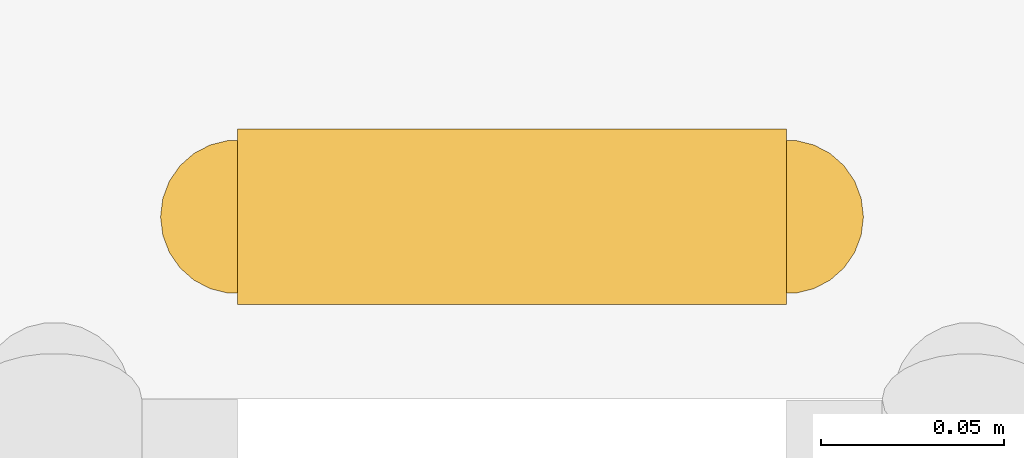
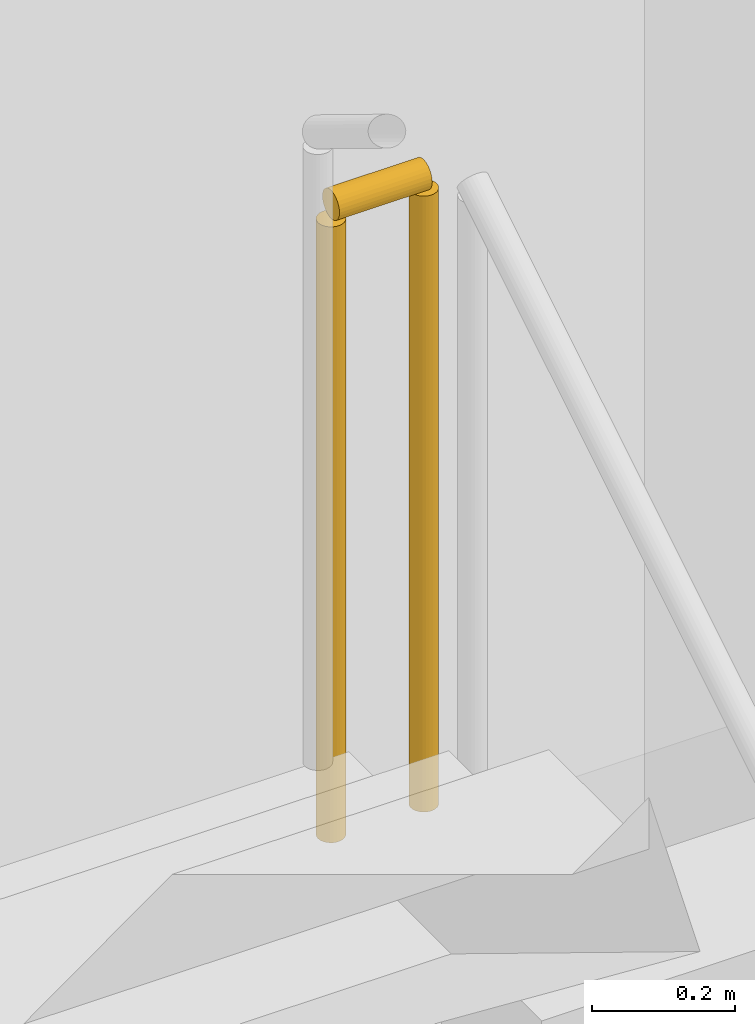
# One storey, part 111 of 112: 1 railing.
"""IFC4 building model written with IfcOpenShell, lengths in metres."""

from ifc_helpers import new_model, si_unit, direction, frame, origin, origin_2d, place, context, subcontext, project, spatial, circle, extrude, material, type_object, element, save


model = new_model("IFC4")

# Units and contexts
model_context = context("Model", 3, precision=1e-05, world=origin(), true_north=direction((0.0, 1.0)))
body_context = subcontext(model_context, "Body", "Model", "MODEL_VIEW")
ifc_project = project(units=[si_unit("LENGTHUNIT", "METRE"), si_unit("AREAUNIT", "SQUARE_METRE"), si_unit("VOLUMEUNIT", "CUBIC_METRE"), si_unit("PLANEANGLEUNIT", "RADIAN"), si_unit("MASSUNIT", "GRAM", prefix="KILO")], contexts=[model_context])

# Site, building, storey
site_placement = place(None, origin())
site = spatial("IfcSite", under=ifc_project, at=site_placement, CompositionType="ELEMENT")
building_placement = place(site_placement, origin())
building = spatial("IfcBuilding", under=site, at=building_placement, Name="Kaldris Quays Convention Centre", CompositionType="ELEMENT")
storey_placement = place(building_placement, frame((0.0, 0.0, 16.800048828125)))
storey = spatial("IfcBuildingStorey", under=building, at=storey_placement, Name="L03", CompositionType="ELEMENT", Elevation=16.800048828125)

# Railing
ifc_material = material(Name="Steel S355J2", Category="steel")
railing_type = type_object("IfcRailingType", Name="INTERIOR GUARDRAIL GR01", PredefinedType="GUARDRAIL", material=ifc_material)
railing_placement = place(storey_placement, frame((149.25, 81.639892578125, 2.39990234375)))
element("IfcRailing", 1, at=railing_placement, inside=storey, type_object=railing_type, Name="L03 ST14 Stair Guardrail 2", PredefinedType="GUARDRAIL", context=body_context, shape_type="SweptSolid", body=[
    extrude(circle(Radius=0.02392578125, at=origin_2d()), frame((0.0, 0.0, 1.076171875), z_axis=(-1.0, 0.0, 0.0), x_axis=(0.0, -1.0, 0.0)), (0.0, 0.0, 1.0), 0.14990234375),
    extrude(circle(Radius=0.02099609375, at=origin_2d()), origin(), (0.0, 0.0, 1.0), 1.052001953125),
    extrude(circle(Radius=0.02099609375, at=origin_2d()), frame((-0.14990234375, 0.0, 0.0)), (0.0, 0.0, 1.0), 1.052001953125),
])

save(model, "model.ifc")
